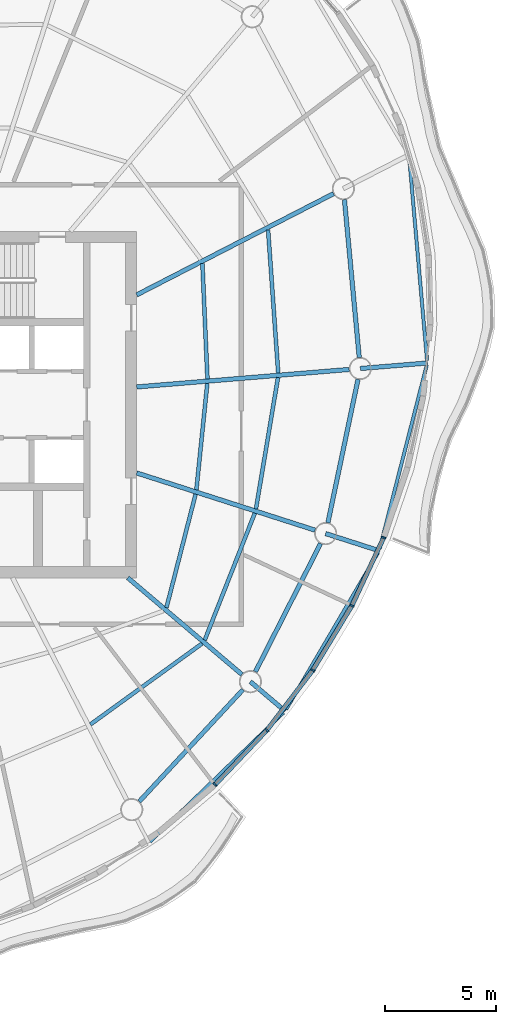
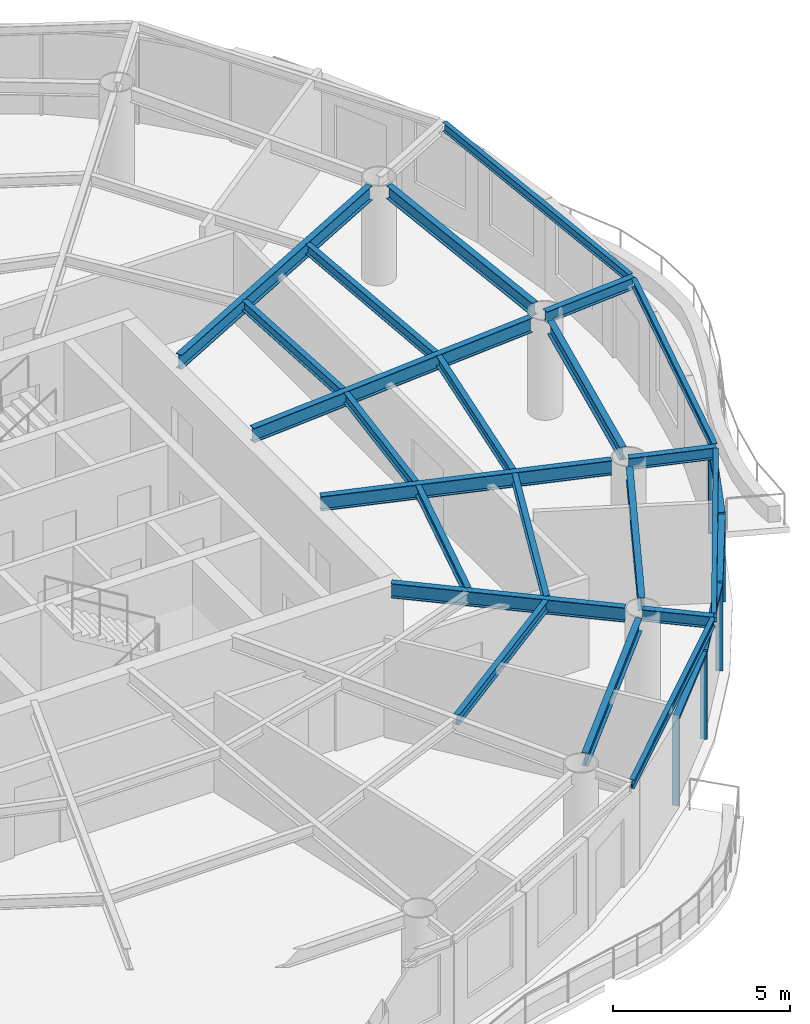
# One storey, part 4 of 14: 22 beams, 9 members, 4 elements without a shape of their own.
"""IFC4 building model written with IfcOpenShell, lengths in metres."""

from ifc_helpers import new_model, si_unit, direction, frame, origin, origin_2d, place, context, subcontext, project, spatial, rectangle, i_section, extrude, material, material_profile, profile_set, type_object, element, aggregate, save


model = new_model("IFC4")

# Units and contexts
model_context = context("Model", 3, precision=1e-05, world=origin(), true_north=direction((0.0, 1.0)))
body_context = subcontext(model_context, "Body", "Model", "MODEL_VIEW")
ifc_project = project(units=[si_unit("LENGTHUNIT", "METRE"), si_unit("AREAUNIT", "SQUARE_METRE"), si_unit("VOLUMEUNIT", "CUBIC_METRE"), si_unit("PLANEANGLEUNIT", "RADIAN"), si_unit("MASSUNIT", "GRAM", prefix="KILO")], contexts=[model_context])

# Site, building, storey
site_placement = place(None, origin())
site = spatial("IfcSite", under=ifc_project, at=site_placement, CompositionType="ELEMENT")
building_placement = place(site_placement, origin())
building = spatial("IfcBuilding", under=site, at=building_placement, Name="Vermilion Reach Broadcast Tower", CompositionType="ELEMENT")
storey_placement = place(building_placement, frame((0.0, 0.0, 257.699951171875)))
storey = spatial("IfcBuildingStorey", under=building, at=storey_placement, Name="L63", CompositionType="ELEMENT", Elevation=257.699951171875)

# Beams
ifc_material_1 = material(Name="Steel S355J2", Category="steel")
ifc_material_profile_1 = material_profile(ifc_material_1, i_section(OverallWidth=0.14990234375, OverallDepth=0.300048828125, WebThickness=0.006591796875, FlangeThickness=0.009033203125, at=origin_2d()), Name="S355J2 HN 300x150x6.5x9")
ifc_profile_set_1 = profile_set([ifc_material_profile_1], Name="Steel S355J2")
beam_type_1 = type_object("IfcBeamType", Name="EB5 HN 300x150x6.5x9", PredefinedType="BEAM", material=ifc_profile_set_1)
beam_1_placement = place(storey_placement, frame((4.20263671875, -19.6796875, 3.300048828125), z_axis=(0.718957709496, 0.695053819468, 0.0), x_axis=(-0.695053819468, 0.718957709496, 0.0)))
element("IfcBeam", 1, at=beam_1_placement, inside=storey, type_object=beam_type_1, Name="Edge beam EB5-11", PredefinedType="BEAM", context=body_context, shape_type="SweptSolid", body=[
    extrude(i_section(OverallWidth=0.14990234375, OverallDepth=0.300048828125, WebThickness=0.006591796875, FlangeThickness=0.009033203125, at=origin_2d()), origin(), (0.0, 0.0, 1.0), 8.3544921875),
])
beam_2_placement = place(storey_placement, frame((10.3330078125, -13.71533203125, 3.300048828125), z_axis=(0.505994149247, 0.862536909893, 0.0), x_axis=(-0.862536909893, 0.505994149247, 0.0)))
element("IfcBeam", 2, at=beam_2_placement, inside=storey, type_object=beam_type_1, Name="Edge beam EB5-12", PredefinedType="BEAM", context=body_context, shape_type="SweptSolid", body=[
    extrude(i_section(OverallWidth=0.14990234375, OverallDepth=0.300048828125, WebThickness=0.006591796875, FlangeThickness=0.009033203125, at=origin_2d()), origin(), (0.0, 0.0, 1.0), 8.166259765625),
])
beam_3_placement = place(storey_placement, frame((14.541748046875, -6.486328125, 3.300048828125), z_axis=(0.248202287756, 0.968708224572, 0.0), x_axis=(-0.968708224572, 0.248202287756, 0.0)))
element("IfcBeam", 3, at=beam_3_placement, inside=storey, type_object=beam_type_1, Name="Edge beam EB5-13", PredefinedType="BEAM", context=body_context, shape_type="SweptSolid", body=[
    extrude(i_section(OverallWidth=0.14990234375, OverallDepth=0.300048828125, WebThickness=0.006591796875, FlangeThickness=0.009033203125, at=origin_2d()), origin(), (0.0, 0.0, 1.0), 8.519287109375),
])
beam_4_placement = place(storey_placement, frame((16.673583984375, 1.968505859375, 3.300048828125), z_axis=(-0.087704007709, 0.996146579089, 0.0), x_axis=(-0.996146579089, -0.087704007709, 0.0)))
element("IfcBeam", 4, at=beam_4_placement, inside=storey, type_object=beam_type_1, Name="Edge beam EB5-14", PredefinedType="BEAM", context=body_context, shape_type="SweptSolid", body=[
    extrude(i_section(OverallWidth=0.14990234375, OverallDepth=0.300048828125, WebThickness=0.006591796875, FlangeThickness=0.009033203125, at=origin_2d()), origin(), (0.0, 0.0, 1.0), 9.197265625),
])
ifc_material_2 = material(Name="Steel S355J2", Category="steel")
ifc_material_profile_2 = material_profile(ifc_material_2, i_section(OverallWidth=0.199951171875, OverallDepth=0.5, WebThickness=0.010009765625, FlangeThickness=0.01611328125, at=origin_2d()), Name="S355J2 HN 500x200x10x16")
ifc_profile_set_2 = profile_set([ifc_material_profile_2], Name="Steel S355J2")
beam_type_2 = type_object("IfcBeamType", Name="G5 HN 500x200x10x16", PredefinedType="BEAM", material=ifc_profile_set_2)
beam_5_placement = place(storey_placement, frame((3.20068359375, -7.800048828125, 3.199951171875), z_axis=(0.762793125612, -0.646642596431, 0.0), x_axis=(0.646642596431, 0.762793125612, 0.0)))
element("IfcBeam", 5, at=beam_5_placement, inside=storey, type_object=beam_type_2, Name="Girder G5-12", PredefinedType="BEAM", context=body_context, shape_type="SweptSolid", body=[
    extrude(i_section(OverallWidth=0.199951171875, OverallDepth=0.5, WebThickness=0.010009765625, FlangeThickness=0.01611328125, at=origin_2d()), origin(), (0.0, 0.0, 1.0), 6.732421875),
])
beam_6_placement = place(storey_placement, frame((3.60009765625, -3.080322265625, 3.199951171875), z_axis=(0.952178453449, -0.305542456604, 0.0), x_axis=(0.305542456604, 0.952178453449, 0.0)))
element("IfcBeam", 6, at=beam_6_placement, inside=storey, type_object=beam_type_2, Name="Girder G5-13", PredefinedType="BEAM", context=body_context, shape_type="SweptSolid", body=[
    extrude(i_section(OverallWidth=0.199951171875, OverallDepth=0.5, WebThickness=0.010009765625, FlangeThickness=0.01611328125, at=origin_2d()), origin(), (0.0, 0.0, 1.0), 8.43310546875),
])
beam_7_placement = place(storey_placement, frame((3.60009765625, 0.791015625, 3.199951171875), z_axis=(0.996624410075, 0.082096195058, 0.0), x_axis=(-0.082096195058, 0.996624410075, 0.0)))
element("IfcBeam", 7, at=beam_7_placement, inside=storey, type_object=beam_type_2, Name="Girder G5-14", PredefinedType="BEAM", context=body_context, shape_type="SweptSolid", body=[
    extrude(i_section(OverallWidth=0.199951171875, OverallDepth=0.5, WebThickness=0.010009765625, FlangeThickness=0.01611328125, at=origin_2d()), origin(), (0.0, 0.0, 1.0), 9.599609375),
])
beam_8_placement = place(storey_placement, frame((3.60009765625, 4.935791015625, 3.199951171875), z_axis=(0.889332502449, 0.457261085254, 0.0), x_axis=(-0.457261085254, 0.889332502449, 0.0)))
element("IfcBeam", 8, at=beam_8_placement, inside=storey, type_object=beam_type_2, Name="Girder G5-15", PredefinedType="BEAM", context=body_context, shape_type="SweptSolid", body=[
    extrude(i_section(OverallWidth=0.199951171875, OverallDepth=0.5, WebThickness=0.010009765625, FlangeThickness=0.01611328125, at=origin_2d()), origin(), (0.0, 0.0, 1.0), 9.96337890625),
])
ifc_material_3 = material(Name="Steel S355J2", Category="steel")
ifc_material_profile_3 = material_profile(ifc_material_3, i_section(OverallWidth=0.199951171875, OverallDepth=0.39990234375, WebThickness=0.008056640625, FlangeThickness=0.012939453125, at=origin_2d()), Name="S355J2 HN 400x200x8x13")
ifc_profile_set_3 = profile_set([ifc_material_profile_3], Name="Steel S355J2")
beam_type_3 = type_object("IfcBeamType", Name="GC5 HN 400x200x8x13", PredefinedType="BEAM", material=ifc_profile_set_3)
beam_9_placement = place(storey_placement, frame((8.717529296875, -12.476806640625, 3.25), z_axis=(0.762708446266, -0.6467424727, 0.0), x_axis=(0.6467424727, 0.762708446266, 0.0)))
element("IfcBeam", 9, at=beam_9_placement, inside=storey, type_object=beam_type_3, Name="Cantilever girder GC5-12", PredefinedType="BEAM", context=body_context, shape_type="SweptSolid", body=[
    extrude(i_section(OverallWidth=0.199951171875, OverallDepth=0.39990234375, WebThickness=0.008056640625, FlangeThickness=0.012939453125, at=origin_2d()), origin(), (0.0, 0.0, 1.0), 2.050537109375),
])
beam_10_placement = place(storey_placement, frame((12.10595703125, -5.809814453125, 3.25), z_axis=(0.952199970695, -0.30547539313, 0.0), x_axis=(0.30547539313, 0.952199970695, 0.0)))
element("IfcBeam", 10, at=beam_10_placement, inside=storey, type_object=beam_type_3, Name="Cantilever girder GC5-13", PredefinedType="BEAM", context=body_context, shape_type="SweptSolid", body=[
    extrude(i_section(OverallWidth=0.199951171875, OverallDepth=0.39990234375, WebThickness=0.008056640625, FlangeThickness=0.012939453125, at=origin_2d()), origin(), (0.0, 0.0, 1.0), 2.531982421875),
])
beam_11_placement = place(storey_placement, frame((13.665771484375, 1.620361328125, 3.25), z_axis=(0.996623197757, 0.082110910919, 0.0), x_axis=(-0.082110910919, 0.996623197757, 0.0)))
element("IfcBeam", 11, at=beam_11_placement, inside=storey, type_object=beam_type_3, Name="Cantilever girder GC5-14", PredefinedType="BEAM", context=body_context, shape_type="SweptSolid", body=[
    extrude(i_section(OverallWidth=0.199951171875, OverallDepth=0.39990234375, WebThickness=0.008056640625, FlangeThickness=0.012939453125, at=origin_2d()), origin(), (0.0, 0.0, 1.0), 3.02685546875),
])
ifc_material_4 = material(Name="Steel S355J2", Category="steel")
ifc_material_profile_4 = material_profile(ifc_material_4, i_section(OverallWidth=0.199951171875, OverallDepth=0.449951171875, WebThickness=0.009033203125, FlangeThickness=0.013916015625, at=origin_2d()), Name="S355J2 HN 450x200x9x14")
ifc_profile_set_4 = profile_set([ifc_material_profile_4], Name="Steel S355J2")
beam_type_4 = type_object("IfcBeamType", Name="RB5 HN 450x200x9x14", PredefinedType="BEAM", material=ifc_profile_set_4)
beam_12_placement = place(storey_placement, frame((3.716796875, -17.87109375, 3.22509765625), z_axis=(0.679837550075, 0.733362738014, 0.0), x_axis=(-0.733362738014, 0.679837550075, 0.0)))
element("IfcBeam", 12, at=beam_12_placement, inside=storey, type_object=beam_type_4, Name="Ring beam RB5-11", PredefinedType="BEAM", context=body_context, shape_type="SweptSolid", body=[
    extrude(i_section(OverallWidth=0.199951171875, OverallDepth=0.449951171875, WebThickness=0.009033203125, FlangeThickness=0.013916015625, at=origin_2d()), origin(), (0.0, 0.0, 1.0), 6.85546875),
])
beam_13_placement = place(storey_placement, frame((8.944091796875, -12.03125, 3.22509765625), z_axis=(0.453052302855, 0.891483937532, 0.0), x_axis=(-0.891483937532, 0.453052302855, 0.0)))
element("IfcBeam", 13, at=beam_13_placement, inside=storey, type_object=beam_type_4, Name="Ring beam RB5-12", PredefinedType="BEAM", context=body_context, shape_type="SweptSolid", body=[
    extrude(i_section(OverallWidth=0.199951171875, OverallDepth=0.449951171875, WebThickness=0.009033203125, FlangeThickness=0.013916015625, at=origin_2d()), origin(), (0.0, 0.0, 1.0), 6.47900390625),
])
beam_14_placement = place(storey_placement, frame((12.208740234375, -5.3203125, 3.22509765625), z_axis=(0.205444869285, 0.978668690459, 0.0), x_axis=(-0.978668690459, 0.205444869285, 0.0)))
element("IfcBeam", 14, at=beam_14_placement, inside=storey, type_object=beam_type_4, Name="Ring beam RB5-13", PredefinedType="BEAM", context=body_context, shape_type="SweptSolid", body=[
    extrude(i_section(OverallWidth=0.199951171875, OverallDepth=0.449951171875, WebThickness=0.009033203125, FlangeThickness=0.013916015625, at=origin_2d()), origin(), (0.0, 0.0, 1.0), 6.591796875),
])
beam_15_placement = place(storey_placement, frame((13.618896484375, 2.1181640625, 3.22509765625), z_axis=(-0.093441399272, 0.995624781181, 0.0), x_axis=(-0.995624781181, -0.093441399272, 0.0)))
element("IfcBeam", 15, at=beam_15_placement, inside=storey, type_object=beam_type_4, Name="Ring beam RB5-14", PredefinedType="BEAM", context=body_context, shape_type="SweptSolid", body=[
    extrude(i_section(OverallWidth=0.199951171875, OverallDepth=0.449951171875, WebThickness=0.009033203125, FlangeThickness=0.013916015625, at=origin_2d()), origin(), (0.0, 0.0, 1.0), 7.135498046875),
])
ifc_material_5 = material(Name="Steel S355J2", Category="steel")
ifc_material_profile_5 = material_profile(ifc_material_5, i_section(OverallWidth=0.175048828125, OverallDepth=0.35009765625, WebThickness=0.007080078125, FlangeThickness=0.010986328125, at=origin_2d()), Name="S355J2 HN 350x175x7x11")
ifc_profile_set_5 = profile_set([ifc_material_profile_5], Name="Steel S355J2")
beam_type_5 = type_object("IfcBeamType", Name="SB5 HN 350x175x7x11", PredefinedType="BEAM", material=ifc_profile_set_5)
beam_16_placement = place(storey_placement, frame((1.517578125, -14.402587890625, 3.275146484375), z_axis=(0.809771251518, 0.586745703192, 0.0), x_axis=(-0.586745703192, 0.809771251518, 0.0)))
element("IfcBeam", 16, at=beam_16_placement, inside=storey, type_object=beam_type_5, Name="Secondary beam SB5-11-2", PredefinedType="BEAM", context=body_context, shape_type="SweptSolid", body=[
    extrude(i_section(OverallWidth=0.175048828125, OverallDepth=0.35009765625, WebThickness=0.007080078125, FlangeThickness=0.010986328125, at=origin_2d()), origin(), (0.0, 0.0, 1.0), 6.20361328125),
])
beam_17_placement = place(storey_placement, frame((4.940185546875, -9.1435546875, 3.275146484375), z_axis=(0.248729575729, 0.968572969971, 0.0), x_axis=(-0.968572969971, 0.248729575729, 0.0)))
element("IfcBeam", 17, at=beam_17_placement, inside=storey, type_object=beam_type_5, Name="Secondary beam SB5-12-1", PredefinedType="BEAM", context=body_context, shape_type="SweptSolid", body=[
    extrude(i_section(OverallWidth=0.175048828125, OverallDepth=0.35009765625, WebThickness=0.007080078125, FlangeThickness=0.010986328125, at=origin_2d()), origin(), (0.0, 0.0, 1.0), 5.27294921875),
])
beam_18_placement = place(storey_placement, frame((6.6630859375, -10.604248046875, 3.275146484375), z_axis=(0.366931189603, 0.930248086317, 0.0), x_axis=(-0.930248086317, 0.366931189603, 0.0)))
element("IfcBeam", 18, at=beam_18_placement, inside=storey, type_object=beam_type_5, Name="Secondary beam SB5-12-2", PredefinedType="BEAM", context=body_context, shape_type="SweptSolid", body=[
    extrude(i_section(OverallWidth=0.175048828125, OverallDepth=0.35009765625, WebThickness=0.007080078125, FlangeThickness=0.010986328125, at=origin_2d()), origin(), (0.0, 0.0, 1.0), 6.141357421875),
])
beam_19_placement = place(storey_placement, frame((6.287109375, -3.837646484375, 3.275146484375), z_axis=(0.102113775264, 0.994772726255, 0.0), x_axis=(-0.994772726255, 0.102113775264, 0.0)))
element("IfcBeam", 19, at=beam_19_placement, inside=storey, type_object=beam_type_5, Name="Secondary beam SB5-13-1", PredefinedType="BEAM", context=body_context, shape_type="SweptSolid", body=[
    extrude(i_section(OverallWidth=0.175048828125, OverallDepth=0.35009765625, WebThickness=0.007080078125, FlangeThickness=0.010986328125, at=origin_2d()), origin(), (0.0, 0.0, 1.0), 4.815185546875),
])
beam_20_placement = place(storey_placement, frame((8.969970703125, -4.698486328125, 3.275146484375), z_axis=(0.16532337011, 0.986239414795, 0.0), x_axis=(-0.986239414795, 0.16532337011, 0.0)))
element("IfcBeam", 20, at=beam_20_placement, inside=storey, type_object=beam_type_5, Name="Secondary beam SB5-13-2", PredefinedType="BEAM", context=body_context, shape_type="SweptSolid", body=[
    extrude(i_section(OverallWidth=0.175048828125, OverallDepth=0.35009765625, WebThickness=0.007080078125, FlangeThickness=0.010986328125, at=origin_2d()), origin(), (0.0, 0.0, 1.0), 5.99560546875),
])
beam_21_placement = place(storey_placement, frame((6.78466796875, 1.153564453125, 3.275146484375), z_axis=(-0.043557530017, 0.999050920413, 0.0), x_axis=(-0.999050920413, -0.043557530017, 0.0)))
element("IfcBeam", 21, at=beam_21_placement, inside=storey, type_object=beam_type_5, Name="Secondary beam SB5-14-1", PredefinedType="BEAM", context=body_context, shape_type="SweptSolid", body=[
    extrude(i_section(OverallWidth=0.175048828125, OverallDepth=0.35009765625, WebThickness=0.007080078125, FlangeThickness=0.010986328125, at=origin_2d()), origin(), (0.0, 0.0, 1.0), 5.19580078125),
])
beam_22_placement = place(storey_placement, frame((9.97119140625, 1.416259765625, 3.275146484375), z_axis=(-0.070586780458, 0.997505642302, 0.0), x_axis=(-0.997505642302, -0.070586780458, 0.0)))
element("IfcBeam", 22, at=beam_22_placement, inside=storey, type_object=beam_type_5, Name="Secondary beam SB5-14-2", PredefinedType="BEAM", context=body_context, shape_type="SweptSolid", body=[
    extrude(i_section(OverallWidth=0.175048828125, OverallDepth=0.35009765625, WebThickness=0.007080078125, FlangeThickness=0.010986328125, at=origin_2d()), origin(), (0.0, 0.0, 1.0), 6.46435546875),
])

# Curtain wall, member
ifc_material_6 = material(Name="Low-e laminated clear glass in aluminium frame", Category="aluminium")
curtain_wall_type = type_object("IfcCurtainWallType", Name="Slot curtain wall", PredefinedType="NOTDEFINED", material=ifc_material_6)
placement = place(storey_placement, origin())
curtain_wall_1 = element("IfcCurtainWall", 23, at=placement, inside=storey, type_object=curtain_wall_type, Name="Slot curtain wall L63 34", PredefinedType="NOTDEFINED")
ifc_material_7 = material(Name="Anodised aluminium", Category="aluminium")
ifc_material_profile_6 = material_profile(ifc_material_7, rectangle(XDim=0.199951171875, YDim=0.080078125, at=origin_2d()), Name="Slot mullion 80 x 200")
ifc_profile_set_6 = profile_set([ifc_material_profile_6], Name="Anodised aluminium")
member_type_1 = type_object("IfcMemberType", Name="Slot mullion 80 x 200", PredefinedType="MULLION", material=ifc_profile_set_6)
member_1_placement = place(storey_placement, frame((7.1279296875, -17.11279296875, 0.0), z_axis=(0.0, 0.0, 1.0), x_axis=(-0.68555171084, 0.728023936258, 0.0)))
member_1 = element("IfcMember", 24, at=member_1_placement, type_object=member_type_1, Name="Slot mullion L63 34", PredefinedType="MULLION", context=body_context, shape_type="SweptSolid", body=[
    extrude(rectangle(XDim=0.199951171875, YDim=0.080078125, at=origin_2d()), origin(), (0.0, 0.0, 1.0), 3.050048828125),
])

curtain_wall_2 = element("IfcCurtainWall", 25, at=placement, inside=storey, type_object=curtain_wall_type, Name="Slot curtain wall L63 35", PredefinedType="NOTDEFINED")
member_2_placement = place(storey_placement, frame((9.458251953125, -14.66357421875, 0.0), z_axis=(0.0, 0.0, 1.0), x_axis=(-0.760565490297, 0.649261222444, 0.0)))
member_2 = element("IfcMember", 26, at=member_2_placement, type_object=member_type_1, Name="Slot mullion L63 35", PredefinedType="MULLION", context=body_context, shape_type="SweptSolid", body=[
    extrude(rectangle(XDim=0.199951171875, YDim=0.080078125, at=origin_2d()), origin(), (0.0, 0.0, 1.0), 3.050048828125),
])

curtain_wall_3 = element("IfcCurtainWall", 27, at=placement, inside=storey, type_object=curtain_wall_type, Name="Slot curtain wall L63 36", PredefinedType="NOTDEFINED")
member_3_placement = place(storey_placement, frame((11.523193359375, -11.96240234375, 0.0), z_axis=(0.0, 0.0, 1.0), x_axis=(-0.825901575016, 0.563814320841, 0.0)))
member_3 = element("IfcMember", 28, at=member_3_placement, type_object=member_type_1, Name="Slot mullion L63 36", PredefinedType="MULLION", context=body_context, shape_type="SweptSolid", body=[
    extrude(rectangle(XDim=0.199951171875, YDim=0.080078125, at=origin_2d()), origin(), (0.0, 0.0, 1.0), 3.050048828125),
])

# Curtain wall, members
curtain_wall_4 = element("IfcCurtainWall", 29, at=placement, inside=storey, type_object=curtain_wall_type, Name="Slot curtain wall L63 37", PredefinedType="NOTDEFINED")
member_4_placement = place(storey_placement, frame((13.28662109375, -9.055419921875, 0.0), z_axis=(0.0, 0.0, 1.0), x_axis=(-0.881681975743, 0.471844141269, 0.0)))
member_4 = element("IfcMember", 30, at=member_4_placement, type_object=member_type_1, Name="Slot mullion L63 37", PredefinedType="MULLION", context=body_context, shape_type="SweptSolid", body=[
    extrude(rectangle(XDim=0.199951171875, YDim=0.080078125, at=origin_2d()), origin(), (0.0, 0.0, 1.0), 3.050048828125),
])
member_5_placement = place(storey_placement, frame((14.71875, -5.9931640625, 0.0), z_axis=(0.0, 0.0, 1.0), x_axis=(-0.927712370398, 0.373295804706, 0.0)))
member_5 = element("IfcMember", 31, at=member_5_placement, type_object=member_type_1, Name="Slot mullion L63 38", PredefinedType="MULLION", context=body_context, shape_type="SweptSolid", body=[
    extrude(rectangle(XDim=0.199951171875, YDim=0.080078125, at=origin_2d()), origin(), (0.0, 0.0, 1.0), 3.050048828125),
])

# Member
ifc_material_8 = material(Name="Anodised aluminium", Category="aluminium")
ifc_material_profile_7 = material_profile(ifc_material_8, rectangle(XDim=0.199951171875, YDim=0.10009765625, at=origin_2d()), Name="Slot transom 200 x 100")
ifc_profile_set_7 = profile_set([ifc_material_profile_7], Name="Anodised aluminium")
member_type_2 = type_object("IfcMemberType", Name="Slot transom 200 x 100", PredefinedType="USERDEFINED", material=ifc_profile_set_7)
member_6_placement = place(storey_placement, frame((7.155517578125, -17.083740234375, 3.0), z_axis=(0.6893207854, 0.724456247689, 0.0), x_axis=(-0.724456247689, 0.6893207854, 0.0)))
member_6 = element("IfcMember", 32, at=member_6_placement, type_object=member_type_2, Name="Slot transom L63 34.1", ObjectType="TRANSOM", PredefinedType="USERDEFINED", context=body_context, shape_type="SweptSolid", body=[
    extrude(rectangle(XDim=0.199951171875, YDim=0.10009765625, at=origin_2d()), origin(), (0.0, 0.0, 1.0), 3.300537109375),
])

aggregate(curtain_wall_1, [member_1, member_6])

member_7_placement = place(storey_placement, frame((9.482421875, -14.6318359375, 3.0), z_axis=(0.607316357201, 0.794460094829, 0.0), x_axis=(-0.794460094829, 0.607316357201, 0.0)))
member_7 = element("IfcMember", 33, at=member_7_placement, type_object=member_type_2, Name="Slot transom L63 35.1", ObjectType="TRANSOM", PredefinedType="USERDEFINED", context=body_context, shape_type="SweptSolid", body=[
    extrude(rectangle(XDim=0.199951171875, YDim=0.10009765625, at=origin_2d()), origin(), (0.0, 0.0, 1.0), 3.320068359375),
])

aggregate(curtain_wall_2, [member_2, member_7])

member_8_placement = place(storey_placement, frame((11.5439453125, -11.92822265625, 3.0), z_axis=(0.51869603844, 0.854958723978, 0.0), x_axis=(-0.854958723978, 0.51869603844, 0.0)))
member_8 = element("IfcMember", 34, at=member_8_placement, type_object=member_type_2, Name="Slot transom L63 36.1", ObjectType="TRANSOM", PredefinedType="USERDEFINED", context=body_context, shape_type="SweptSolid", body=[
    extrude(rectangle(XDim=0.199951171875, YDim=0.10009765625, at=origin_2d()), origin(), (0.0, 0.0, 1.0), 3.320068359375),
])

aggregate(curtain_wall_3, [member_3, member_8])

member_9_placement = place(storey_placement, frame((13.3037109375, -9.019287109375, 3.0), z_axis=(0.423626374068, 0.905837013592, 0.0), x_axis=(-0.905837013592, 0.423626374068, 0.0)))
member_9 = element("IfcMember", 35, at=member_9_placement, type_object=member_type_2, Name="Slot transom L63 37.1", ObjectType="TRANSOM", PredefinedType="USERDEFINED", context=body_context, shape_type="SweptSolid", body=[
    extrude(rectangle(XDim=0.199951171875, YDim=0.10009765625, at=origin_2d()), origin(), (0.0, 0.0, 1.0), 3.300537109375),
])

aggregate(curtain_wall_4, [member_4, member_5, member_9])

save(model, "model.ifc")
